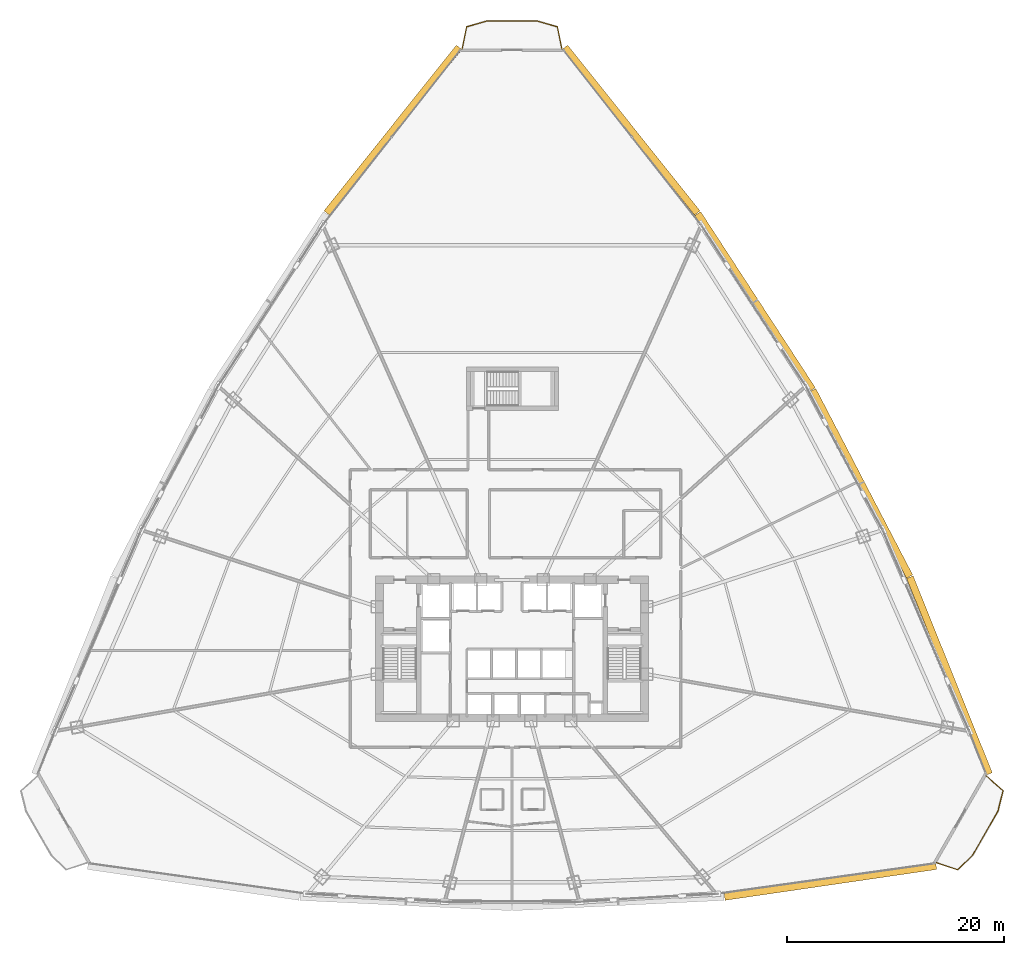
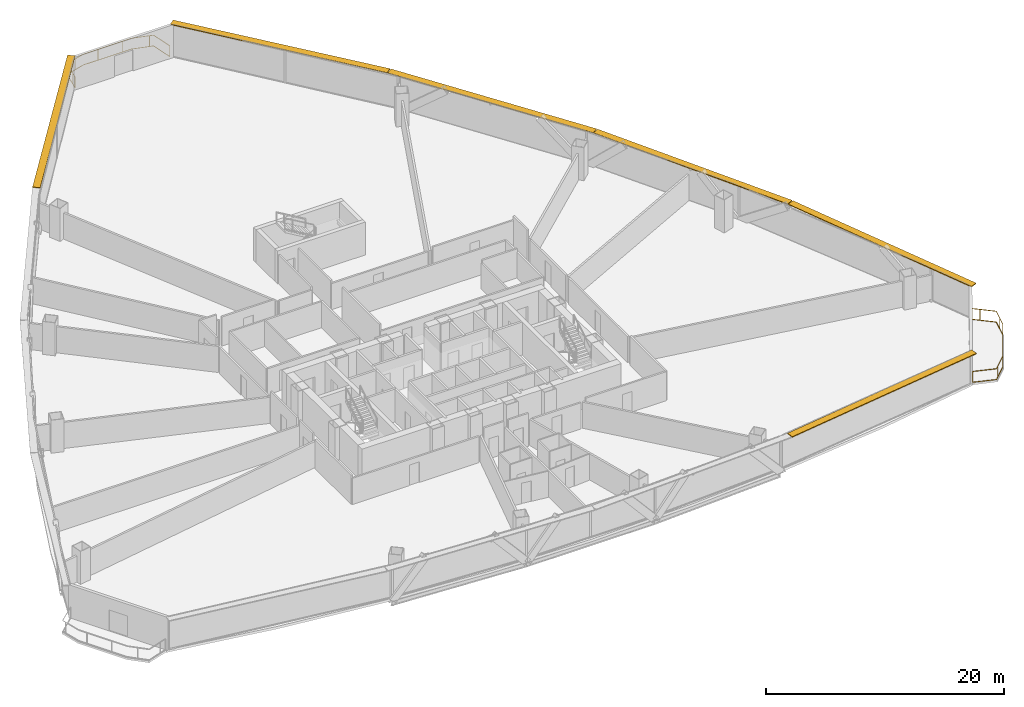
# One storey, part 38 of 38: 6 shading devices, 2 railings.
"""IFC4 building model written with IfcOpenShell, lengths in metres."""

from ifc_helpers import new_model, si_unit, direction, frame, origin, origin_2d, place, context, subcontext, project, spatial, rectangle, extrude, source, transform, mapped, material, layer, layer_set, type_object, element, save


model = new_model("IFC4")

# Units and contexts
model_context = context("Model", 3, precision=1e-05, world=origin(), true_north=direction((0.0, 1.0)))
body_context = subcontext(model_context, "Body", "Model", "MODEL_VIEW")
ifc_project = project(units=[si_unit("LENGTHUNIT", "METRE"), si_unit("AREAUNIT", "SQUARE_METRE"), si_unit("VOLUMEUNIT", "CUBIC_METRE"), si_unit("PLANEANGLEUNIT", "RADIAN"), si_unit("MASSUNIT", "GRAM", prefix="KILO"), si_unit("THERMODYNAMICTEMPERATUREUNIT", "KELVIN"), si_unit("POWERUNIT", "WATT")], contexts=[model_context])

# Site, building, storey
site_placement = place(None, origin())
site = spatial("IfcSite", under=ifc_project, at=site_placement, CompositionType="ELEMENT")
building_placement = place(site_placement, origin())
building = spatial("IfcBuilding", under=site, at=building_placement, Name="Yunzhuo Pagoda Commons", CompositionType="ELEMENT")
storey_placement = place(building_placement, frame((0.0, 0.0, 34.030029296875)))
storey = spatial("IfcBuildingStorey", under=building, at=storey_placement, Name="L08", CompositionType="ELEMENT", Elevation=34.030029296875)

# Railings
ifc_material = material(Name="Anodized aluminium 6063-T6", Category="aluminium")
railing_type = type_object("IfcRailingType", Name="RL-BAL1 Exterior Terrace & Balcony Balustrade 1150", PredefinedType="BALUSTRADE", material=ifc_material)
railing_1_placement = place(storey_placement, frame((87.0849609375, 14.16943359375, 0.0)))
element("IfcRailing", 1, at=railing_1_placement, inside=storey, type_object=railing_type, Name="L08 corner balcony balustrade V2", PredefinedType="BALUSTRADE", context=body_context, shape_type="SweptSolid", body=[
    extrude(rectangle(XDim=0.048095703125, YDim=0.048095703125, at=origin_2d()), frame((0.0, 0.0, 1.1259765625), z_axis=(0.947419062147, -0.319995501031, 0.0), x_axis=(0.319995501031, 0.947419062147, 0.0)), (0.0, 0.0, 1.0), 2.05908203125),
    extrude(rectangle(XDim=0.048095703125, YDim=0.048095703125, at=origin_2d()), frame((0.0, 0.0, 0.02392578125), z_axis=(0.947419062147, -0.319995501031, 0.0), x_axis=(0.319995501031, 0.947419062147, 0.0)), (0.0, 0.0, 1.0), 2.05908203125),
    extrude(rectangle(XDim=0.048095703125, YDim=0.048095703125, at=origin_2d()), frame((1.950927734375, -0.658935546875, 1.1259765625), z_axis=(0.716379924968, 0.697710400598, 0.0), x_axis=(-0.697710400598, 0.716379924968, 0.0)), (0.0, 0.0, 1.0), 1.935302734375),
    extrude(rectangle(XDim=0.048095703125, YDim=0.048095703125, at=origin_2d()), frame((1.950927734375, -0.658935546875, 0.02392578125), z_axis=(0.716379924968, 0.697710400598, 0.0), x_axis=(-0.697710400598, 0.716379924968, 0.0)), (0.0, 0.0, 1.0), 1.935302734375),
    extrude(rectangle(XDim=0.048095703125, YDim=0.048095703125, at=origin_2d()), frame((3.33740234375, 0.69140625, 1.1259765625), z_axis=(0.497917619796, 0.867224333086, 0.0), x_axis=(-0.867224333086, 0.497917619796, 0.0)), (0.0, 0.0, 1.0), 4.68310546875),
    extrude(rectangle(XDim=0.048095703125, YDim=0.048095703125, at=origin_2d()), frame((3.33740234375, 0.69140625, 0.02392578125), z_axis=(0.497917619796, 0.867224333086, 0.0), x_axis=(-0.867224333086, 0.497917619796, 0.0)), (0.0, 0.0, 1.0), 4.68310546875),
    extrude(rectangle(XDim=0.048095703125, YDim=0.048095703125, at=origin_2d()), frame((5.669189453125, 4.752685546875, 1.1259765625), z_axis=(0.241437285423, 0.970416424638, 0.0), x_axis=(-0.970416424638, 0.241437285423, 0.0)), (0.0, 0.0, 1.0), 1.935546875),
    extrude(rectangle(XDim=0.048095703125, YDim=0.048095703125, at=origin_2d()), frame((5.669189453125, 4.752685546875, 0.02392578125), z_axis=(0.241437285423, 0.970416424638, 0.0), x_axis=(-0.970416424638, 0.241437285423, 0.0)), (0.0, 0.0, 1.0), 1.935546875),
    extrude(rectangle(XDim=0.048095703125, YDim=0.048095703125, at=origin_2d()), frame((6.136474609375, 6.630859375, 1.1259765625), z_axis=(-0.753992555518, 0.656882962348, 0.0), x_axis=(-0.656882962348, -0.753992555518, 0.0)), (0.0, 0.0, 1.0), 2.05908203125),
    extrude(rectangle(XDim=0.048095703125, YDim=0.048095703125, at=origin_2d()), frame((6.136474609375, 6.630859375, 0.02392578125), z_axis=(-0.753992555518, 0.656882962348, 0.0), x_axis=(-0.656882962348, -0.753992555518, 0.0)), (0.0, 0.0, 1.0), 2.05908203125),
    extrude(rectangle(XDim=0.0419921875, YDim=0.0419921875, at=origin_2d()), origin(), (0.0, 0.0, 1.0), 1.101806640625),
    extrude(rectangle(XDim=0.0419921875, YDim=0.0419921875, at=origin_2d()), frame((2.195068359375, -0.421142578125, 0.0)), (0.0, 0.0, 1.0), 1.101806640625),
    extrude(rectangle(XDim=0.0419921875, YDim=0.0419921875, at=origin_2d()), frame((3.738525390625, 1.389892578125, 0.0)), (0.0, 0.0, 1.0), 1.101806640625),
    extrude(rectangle(XDim=0.0419921875, YDim=0.0419921875, at=origin_2d()), frame((4.933349609375, 3.47119140625, 0.0)), (0.0, 0.0, 1.0), 1.101806640625),
    extrude(rectangle(XDim=0.0419921875, YDim=0.0419921875, at=origin_2d()), frame((5.891845703125, 5.647705078125, 0.0)), (0.0, 0.0, 1.0), 1.101806640625),
    extrude(rectangle(XDim=0.0419921875, YDim=0.0419921875, at=origin_2d()), frame((5.0908203125, 7.5419921875, 0.0)), (0.0, 0.0, 1.0), 1.101806640625),
    extrude(rectangle(XDim=0.0419921875, YDim=0.0419921875, at=origin_2d()), frame((4.583984375, 7.9833984375, 0.0)), (0.0, 0.0, 1.0), 1.101806640625),
])
railing_2_placement = place(storey_placement, frame((52.58349609375, 89.11083984375, 0.0)))
element("IfcRailing", 2, at=railing_2_placement, inside=storey, type_object=railing_type, Name="L08 corner balcony balustrade V3", PredefinedType="BALUSTRADE", context=body_context, shape_type="SweptSolid", body=[
    extrude(rectangle(XDim=0.048095703125, YDim=0.048095703125, at=origin_2d()), frame((0.0, 0.0, 1.1259765625), z_axis=(-0.194200568098, 0.980961843983, 0.0), x_axis=(-0.980961843983, -0.194200568098, 0.0)), (0.0, 0.0, 1.0), 2.059326171875),
    extrude(rectangle(XDim=0.048095703125, YDim=0.048095703125, at=origin_2d()), frame((0.0, 0.0, 0.02392578125), z_axis=(-0.194200568098, 0.980961843983, 0.0), x_axis=(-0.980961843983, -0.194200568098, 0.0)), (0.0, 0.0, 1.0), 2.059326171875),
    extrude(rectangle(XDim=0.048095703125, YDim=0.048095703125, at=origin_2d()), frame((-0.39990234375, 2.02001953125, 1.1259765625), z_axis=(-0.961394700439, 0.275173090923, 0.0), x_axis=(-0.275173090923, -0.961394700439, 0.0)), (0.0, 0.0, 1.0), 1.92626953125),
    extrude(rectangle(XDim=0.048095703125, YDim=0.048095703125, at=origin_2d()), frame((-0.39990234375, 2.02001953125, 0.02392578125), z_axis=(-0.961394700439, 0.275173090923, 0.0), x_axis=(-0.275173090923, -0.961394700439, 0.0)), (0.0, 0.0, 1.0), 1.92626953125),
    extrude(rectangle(XDim=0.048095703125, YDim=0.048095703125, at=origin_2d()), frame((-2.251708984375, 2.550048828125, 1.1259765625), z_axis=(-1.0, 0.0, 0.0), x_axis=(0.0, -1.0, 0.0)), (0.0, 0.0, 1.0), 4.66357421875),
    extrude(rectangle(XDim=0.048095703125, YDim=0.048095703125, at=origin_2d()), frame((-2.251708984375, 2.550048828125, 0.02392578125), z_axis=(-1.0, 0.0, 0.0), x_axis=(0.0, -1.0, 0.0)), (0.0, 0.0, 1.0), 4.66357421875),
    extrude(rectangle(XDim=0.048095703125, YDim=0.048095703125, at=origin_2d()), frame((-6.915283203125, 2.550048828125, 1.1259765625), z_axis=(-0.961394700439, -0.275173090923, 0.0), x_axis=(0.275173090923, -0.961394700439, 0.0)), (0.0, 0.0, 1.0), 1.92626953125),
    extrude(rectangle(XDim=0.048095703125, YDim=0.048095703125, at=origin_2d()), frame((-6.915283203125, 2.550048828125, 0.02392578125), z_axis=(-0.961394700439, -0.275173090923, 0.0), x_axis=(0.275173090923, -0.961394700439, 0.0)), (0.0, 0.0, 1.0), 1.92626953125),
    extrude(rectangle(XDim=0.048095703125, YDim=0.048095703125, at=origin_2d()), frame((-8.76708984375, 2.02001953125, 1.1259765625), z_axis=(-0.194200568098, -0.980961843983, 0.0), x_axis=(0.980961843983, -0.194200568098, 0.0)), (0.0, 0.0, 1.0), 2.059326171875),
    extrude(rectangle(XDim=0.048095703125, YDim=0.048095703125, at=origin_2d()), frame((-8.76708984375, 2.02001953125, 0.02392578125), z_axis=(-0.194200568098, -0.980961843983, 0.0), x_axis=(0.980961843983, -0.194200568098, 0.0)), (0.0, 0.0, 1.0), 2.059326171875),
    extrude(rectangle(XDim=0.0419921875, YDim=0.0419921875, at=origin_2d()), origin(), (0.0, 0.0, 1.0), 1.101806640625),
    extrude(rectangle(XDim=0.0419921875, YDim=0.0419921875, at=origin_2d()), frame((-0.7275390625, 2.11376953125, 0.0)), (0.0, 0.0, 1.0), 1.101806640625),
    extrude(rectangle(XDim=0.0419921875, YDim=0.0419921875, at=origin_2d()), frame((-3.06640625, 2.550048828125, 0.0)), (0.0, 0.0, 1.0), 1.101806640625),
    extrude(rectangle(XDim=0.0419921875, YDim=0.0419921875, at=origin_2d()), frame((-5.46630859375, 2.550048828125, 0.0)), (0.0, 0.0, 1.0), 1.101806640625),
    extrude(rectangle(XDim=0.0419921875, YDim=0.0419921875, at=origin_2d()), frame((-7.82958984375, 2.288330078125, 0.0)), (0.0, 0.0, 1.0), 1.101806640625),
    extrude(rectangle(XDim=0.0419921875, YDim=0.0419921875, at=origin_2d()), frame((-9.043701171875, 0.622314453125, 0.0)), (0.0, 0.0, 1.0), 1.101806640625),
    extrude(rectangle(XDim=0.0419921875, YDim=0.0419921875, at=origin_2d()), frame((-9.1669921875, 0.0, 0.0)), (0.0, 0.0, 1.0), 1.101806640625),
])

# Shading devices
ifc_layer = layer(ifc_material, 0.080078125)
ifc_layer_set = layer_set([ifc_layer], Name="Anodized aluminium 6063-T6")
shading_device_type = type_object("IfcShadingDeviceType", Name="SH-SUN1 Pagoda Horizontal Sunshade Eave 650", PredefinedType="USERDEFINED", material=ifc_layer_set)
shared_shape_1 = source(origin(), body_context, "Body", "SweptSolid", [
    extrude(rectangle(XDim=19.689453125, YDim=0.64990234375, at=origin_2d()), origin(), (0.0, 0.0, 1.0), 0.080078125),
])
shading_device_placement = place(storey_placement, frame((77.318603515625, 12.4375, 3.2900390625), z_axis=(0.0, 0.0, 1.0), x_axis=(0.989510666697, 0.144459823108, 0.0)))
element("IfcShadingDevice", 3, at=shading_device_placement, inside=storey, type_object=shading_device_type, Name="L08 horizontal pagoda sunshade eave F1.4", ObjectType="SUNSHADE", PredefinedType="USERDEFINED", context=body_context, shape_type="MappedRepresentation", body=[
    mapped(shared_shape_1, transform((0.0, 0.0, 0.0), scale=1.0)),
])
shared_shape_2 = source(origin(), body_context, "Body", "SweptSolid", [
    extrude(rectangle(XDim=19.53125, YDim=0.64990234375, at=origin_2d()), origin(), (0.0, 0.0, 1.0), 0.080078125),
])
for number, where, z_axis, x_axis, name in (
    (4, (88.281494140625, 31.391357421875, 3.2900390625), (0.0, 0.0, 1.0), (-0.372987782576, 0.927836253899, 0.0), "L08 horizontal pagoda sunshade eave F2.1"),
    (5, (58.96240234375, 81.617919921875, 3.2900390625), (0.0, 0.0, 1.0), (-0.624520471688, 0.781008438138, 0.0), "L08 horizontal pagoda sunshade eave F2.4"),
    (6, (37.03759765625, 81.617919921875, 3.2900390625), (0.0, 0.0, 1.0), (-0.624520471688, -0.781008438138, 0.0), "L08 horizontal pagoda sunshade eave F3.1"),
):
    element("IfcShadingDevice", number, at=place(storey_placement, frame(where, z_axis=z_axis, x_axis=x_axis)), inside=storey, type_object=shading_device_type, Name=name, ObjectType="SUNSHADE", PredefinedType="USERDEFINED", context=body_context, shape_type="MappedRepresentation", body=[
        mapped(shared_shape_2, transform((0.0, 0.0, 0.0), scale=1.0)),
    ])
shared_shape_3 = source(origin(), body_context, "Body", "SweptSolid", [
    extrude(rectangle(XDim=19.345947265625, YDim=0.64990234375, at=origin_2d()), origin(), (0.0, 0.0, 1.0), 0.080078125),
])
for number, where, z_axis, x_axis, name in (
    (7, (80.1513671875, 49.09228515625, 3.2900390625), (0.0, 0.0, 1.0), (-0.461206683033, 0.88729273384, 0.0), "L08 horizontal pagoda sunshade eave F2.2"),
    (8, (70.378173828125, 65.834716796875, 3.2900390625), (0.0, 0.0, 1.0), (-0.545838756973, 0.837890238269, 0.0), "L08 horizontal pagoda sunshade eave F2.3"),
):
    element("IfcShadingDevice", number, at=place(storey_placement, frame(where, z_axis=z_axis, x_axis=x_axis)), inside=storey, type_object=shading_device_type, Name=name, ObjectType="SUNSHADE", PredefinedType="USERDEFINED", context=body_context, shape_type="MappedRepresentation", body=[
        mapped(shared_shape_3, transform((0.0, 0.0, 0.0), scale=1.0)),
    ])

save(model, "model.ifc")
